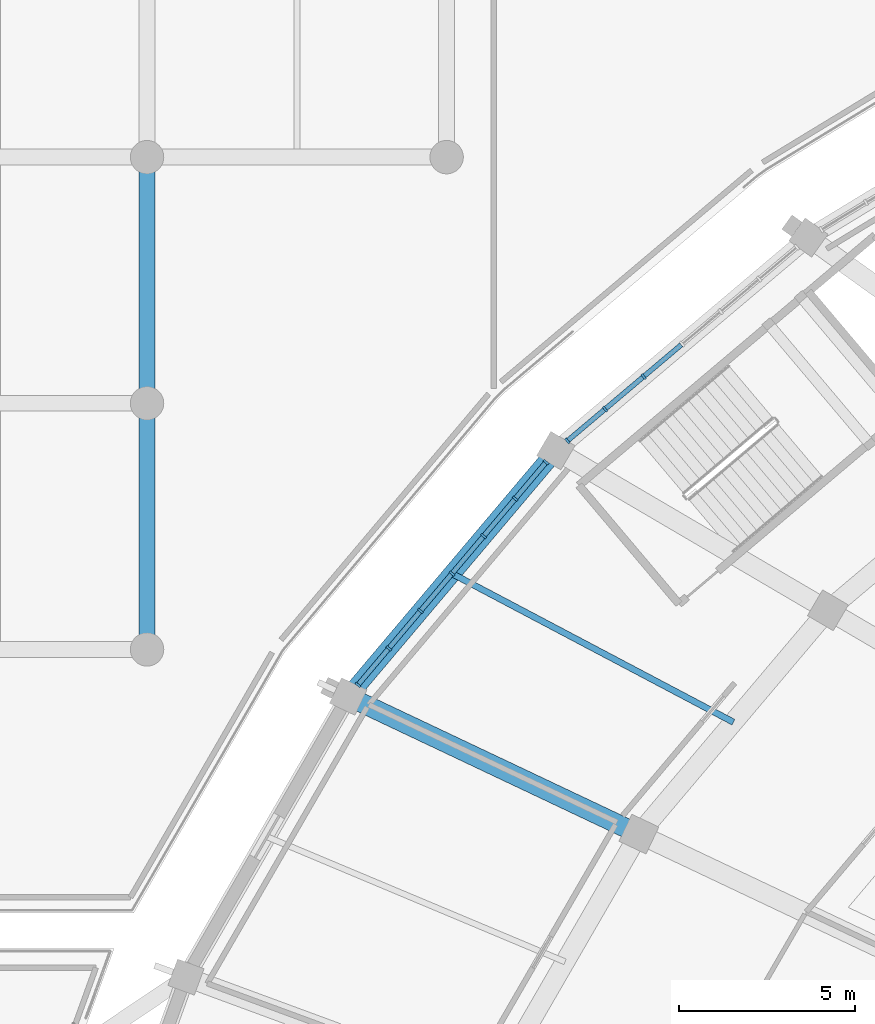
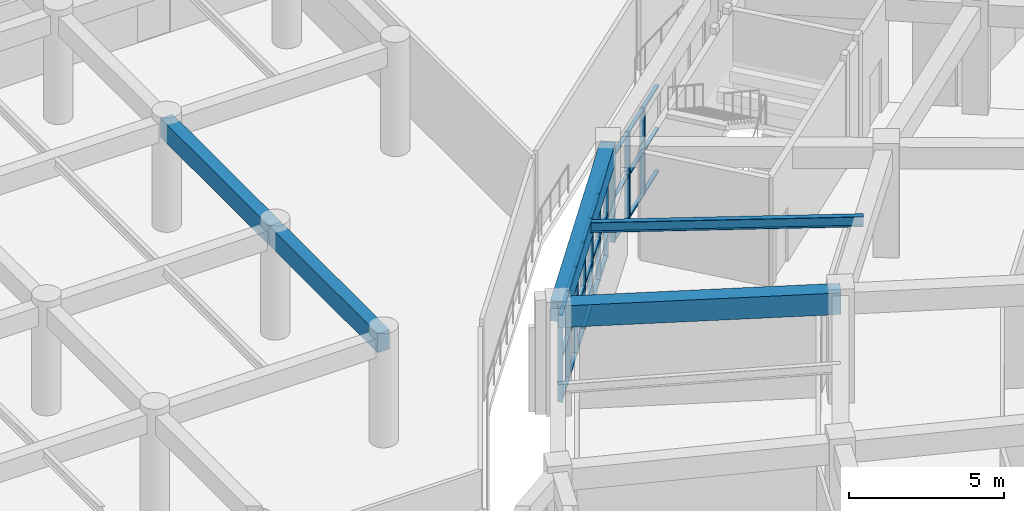
# One storey, part 55 of 145: 37 members, 5 beams, 2 elements without a shape of their own.
"""IFC4 building model written with IfcOpenShell, lengths in metres."""

import ifcopenshell
import ifcopenshell.guid

model = None  # the IFC model being written
_history = None  # IfcOwnerHistory: only IFC2X3 demands one
_inside = {}  # id of a spatial element -> (the spatial element, [elements in it])
_under = {}  # id of a project, library or spatial element -> (it, [spatial elements below it])
_declared = {}  # id of a project -> (the project, [libraries it declares])
_typed = {}  # id of a type object -> (the type object, [elements of that type])
_made_of = {}  # id of a material, layer set ... -> (it, [elements and type objects made of it])


def new_model(schema):
    """Start an empty IFC model of exactly this schema.

    Asked for "IFC4X3", IfcOpenShell would pick the latest addendum, in which some entities
    have other attributes; the version numbers below select the first issue.
    IFC2X3 requires an IfcOwnerHistory on every rooted entity: one is made here for all.
    """
    global model, _history
    if schema == "IFC4X3":
        model = ifcopenshell.file(schema_version=(4, 3, 0, 0))
    else:
        model = ifcopenshell.file(schema=schema)
    _inside.clear()
    _under.clear()
    _declared.clear()
    _typed.clear()
    _made_of.clear()
    _history = None
    if model.schema == "IFC2X3":
        org = make("IfcOrganization", Name="unknown")
        user = make(
            "IfcPersonAndOrganization",
            ThePerson=make("IfcPerson", FamilyName="unknown"),
            TheOrganization=org,
        )
        app = make(
            "IfcApplication",
            ApplicationDeveloper=org,
            Version="unknown",
            ApplicationFullName="unknown",
            ApplicationIdentifier="unknown",
        )
        _history = make(
            "IfcOwnerHistory",
            OwningUser=user,
            OwningApplication=app,
            ChangeAction="ADDED",
            CreationDate=0,
        )
    return model


def make(cls, **values):
    """One entity of the class cls with the attributes given. An attribute that is None is left unset."""
    return model.create_entity(
        cls, **{name: value for name, value in values.items() if value is not None}
    )


def rooted(cls, **values):
    """An entity with a GlobalId (a new one), such as an element, a storey or a relation."""
    return make(cls, GlobalId=ifcopenshell.guid.new(), OwnerHistory=_history, **values)


def si_unit(unit_type, name, prefix=None):
    """IfcSIUnit, for example si_unit("LENGTHUNIT", "METRE", prefix="MILLI")."""
    return make("IfcSIUnit", UnitType=unit_type, Prefix=prefix, Name=name)


def assignment(units):
    """IfcUnitAssignment: the units of a project."""
    return None if units is None else make("IfcUnitAssignment", Units=units)


def point(xyz):
    """IfcCartesianPoint."""
    return None if xyz is None else make("IfcCartesianPoint", Coordinates=xyz)


def direction(xyz):
    """IfcDirection."""
    return None if xyz is None else make("IfcDirection", DirectionRatios=xyz)


def frame(location, z_axis=None, x_axis=None):
    """IfcAxis2Placement3D, a coordinate frame: its origin and axes. An axis left out is left unset."""
    return make(
        "IfcAxis2Placement3D",
        Location=point(location),
        Axis=direction(z_axis),
        RefDirection=direction(x_axis),
    )


def frame_2d(location, x_axis=None):
    """IfcAxis2Placement2D, a coordinate frame in the plane: its origin and x axis."""
    return make(
        "IfcAxis2Placement2D", Location=point(location), RefDirection=direction(x_axis)
    )


def origin():
    """The frame at (0, 0, 0) with its axes left unset."""
    return frame((0.0, 0.0, 0.0))


def origin_2d():
    """The frame at (0, 0) in the plane with its x axis left unset."""
    return frame_2d((0.0, 0.0))


def place(relative_to, where):
    """IfcLocalPlacement: puts the frame where relative to a parent placement (None: the world)."""
    return make(
        "IfcLocalPlacement", PlacementRelTo=relative_to, RelativePlacement=where
    )


def context(
    kind, dimensions, precision=None, world=None, true_north=None, identifier=None
):
    """IfcGeometricRepresentationContext, for example the 3D "Model" context."""
    return make(
        "IfcGeometricRepresentationContext",
        ContextIdentifier=identifier,
        ContextType=kind,
        CoordinateSpaceDimension=dimensions,
        Precision=precision,
        WorldCoordinateSystem=world,
        TrueNorth=true_north,
    )


def subcontext(parent, identifier, kind, view, scale=None):
    """IfcGeometricRepresentationSubContext, for example "Body" below "Model"."""
    return make(
        "IfcGeometricRepresentationSubContext",
        ContextIdentifier=identifier,
        ContextType=kind,
        ParentContext=parent,
        TargetScale=scale,
        TargetView=view,
    )


def project(units=None, contexts=None):
    """IfcProject with its units and contexts."""
    return rooted(
        "IfcProject",
        Name="project",
        RepresentationContexts=contexts,
        UnitsInContext=assignment(units),
    )


def spatial(cls, under=None, at=None, **own):
    """A site, building, storey or space (cls), placed at a placement, below another one or the project."""
    s = rooted(cls, ObjectPlacement=at, **own)
    if under is not None:
        _under.setdefault(under.id(), (under, []))[1].append(s)
    return s


def profile(cls, at=None, kind="AREA", **sizes):
    """A parametric profile (cls). Its sizes go by their IFC names, for example OverallWidth=200.0."""
    return make(cls, ProfileType=kind, Position=at, **sizes)


def rectangle(**sizes):
    """IfcRectangleProfileDef."""
    return profile("IfcRectangleProfileDef", **sizes)


def i_section(**sizes):
    """IfcIShapeProfileDef."""
    return profile("IfcIShapeProfileDef", **sizes)


def extrude(swept, where, along, depth):
    """IfcExtrudedAreaSolid: the profile swept, set in the frame where, extruded along a direction by depth."""
    return make(
        "IfcExtrudedAreaSolid",
        SweptArea=swept,
        Position=where,
        ExtrudedDirection=direction(along),
        Depth=depth,
    )


def shape(context_of_items, identifier, shape_type, items):
    """IfcShapeRepresentation: the items that make up one representation, for example the "Body"."""
    return make(
        "IfcShapeRepresentation",
        ContextOfItems=context_of_items,
        RepresentationIdentifier=identifier,
        RepresentationType=shape_type,
        Items=items,
    )


def material(Name=None, Category=None):
    """IfcMaterial."""
    return make("IfcMaterial", Name=Name, Category=Category)


def layer(
    of_material, thickness, ventilated=None, Name=None, Category=None, Priority=None
):
    """IfcMaterialLayer: one layer of a wall or slab, of a material (None: an air gap)."""
    return make(
        "IfcMaterialLayer",
        Material=of_material,
        LayerThickness=thickness,
        IsVentilated=ventilated,
        Name=Name,
        Category=Category,
        Priority=Priority,
    )


def layer_set(layers, Name=None):
    """IfcMaterialLayerSet."""
    return make("IfcMaterialLayerSet", MaterialLayers=layers, LayerSetName=Name)


def material_profile(
    of_material, cross_section, Name=None, Category=None, Priority=None
):
    """IfcMaterialProfile: a cross section and its material."""
    return make(
        "IfcMaterialProfile",
        Name=Name,
        Material=of_material,
        Profile=cross_section,
        Priority=Priority,
        Category=Category,
    )


def profile_set(profiles, Name=None, composite=None):
    """IfcMaterialProfileSet."""
    return make(
        "IfcMaterialProfileSet",
        Name=Name,
        MaterialProfiles=profiles,
        CompositeProfile=composite,
    )


def made_of(thing, what):
    """Note that an element or type object is made of a material, layer set ...; save() writes the relation."""
    if what is not None:
        _made_of.setdefault(what.id(), (what, []))[1].append(thing)
    return thing


def type_object(cls, material=None, **own):
    """A type object (cls), such as IfcWallType, which elements share."""
    return made_of(rooted(cls, **own), material)


def element(
    cls,
    number,
    at=None,
    inside=None,
    cuts=None,
    type_object=None,
    material=None,
    context=None,
    identifier="Body",
    shape_type=None,
    held_by="IfcProductDefinitionShape",
    body=None,
    shapes=None,
    **own,
):
    """One element of the class cls, such as IfcWall. Its Tag is "e" and its number.

    at: its placement. inside: the storey or other place that contains it. cuts: it is an
    opening in that element (IfcRelVoidsElement). A single representation is given by context,
    identifier, shape_type and body (its items); several are given by shapes. held_by: the class
    of the entity that holds the representations. save() writes the other relations.
    """
    e = rooted(cls, Tag="e%d" % number, ObjectPlacement=at, **own)
    if body is not None:
        shapes = [shape(context, identifier, shape_type, body)]
    if shapes is not None:
        e.Representation = make(held_by, Representations=shapes)
    if inside is not None:
        _inside.setdefault(inside.id(), (inside, []))[1].append(e)
    if cuts is not None:
        rooted(
            "IfcRelVoidsElement", RelatingBuildingElement=cuts, RelatedOpeningElement=e
        )
    if type_object is not None:
        _typed.setdefault(type_object.id(), (type_object, []))[1].append(e)
    return made_of(e, material)


def aggregate(whole, parts):
    """IfcRelAggregates: a whole, such as a stair, and the parts it consists of."""
    return rooted("IfcRelAggregates", RelatingObject=whole, RelatedObjects=parts)


def save(model, path):
    """Write the relations noted so far, then the file.

    IfcRelAggregates (storeys below a building ...), IfcRelContainedInSpatialStructure (elements
    in a storey), IfcRelDefinesByType, IfcRelAssociatesMaterial and IfcRelDeclares: one each for
    every whole, place, type object, material and project.
    """
    for whole, parts in _under.values():
        aggregate(whole, parts)
    for where, things in _inside.values():
        rooted(
            "IfcRelContainedInSpatialStructure",
            RelatedElements=things,
            RelatingStructure=where,
        )
    for kind, things in _typed.values():
        rooted("IfcRelDefinesByType", RelatedObjects=things, RelatingType=kind)
    for what, things in _made_of.values():
        rooted("IfcRelAssociatesMaterial", RelatedObjects=things, RelatingMaterial=what)
    for by, libraries in _declared.values():
        rooted("IfcRelDeclares", RelatingContext=by, RelatedDefinitions=libraries)
    model.write(path)


model = new_model("IFC4")

# Units and contexts
model_context = context("Model", 3, precision=1e-05, world=origin(), true_north=direction((0.0, 1.0)))
body_context = subcontext(model_context, "Body", "Model", "MODEL_VIEW")
ifc_project = project(units=[si_unit("LENGTHUNIT", "METRE"), si_unit("AREAUNIT", "SQUARE_METRE"), si_unit("VOLUMEUNIT", "CUBIC_METRE"), si_unit("PLANEANGLEUNIT", "RADIAN"), si_unit("MASSUNIT", "GRAM", prefix="KILO")], contexts=[model_context])

# Site, building, storey
site_placement = place(None, origin())
site = spatial("IfcSite", under=ifc_project, at=site_placement, CompositionType="ELEMENT")
building_placement = place(site_placement, origin())
building = spatial("IfcBuilding", under=site, at=building_placement, Name="Mphavela Belvedere Stadium", CompositionType="ELEMENT")
storey_placement = place(building_placement, frame((0.0, 0.0, 10.199951171875)))
storey = spatial("IfcBuildingStorey", under=building, at=storey_placement, Name="L02", CompositionType="ELEMENT", Elevation=10.199951171875)

# Beams
ifc_material_1 = material(Name="Steel S355", Category="steel")
ifc_material_profile_1 = material_profile(ifc_material_1, i_section(OverallWidth=0.179931640625, OverallDepth=0.39990234375, WebThickness=0.008544921875, FlangeThickness=0.013427734375, at=origin_2d()), Name="IPE 400")
ifc_profile_set_1 = profile_set([ifc_material_profile_1], Name="Steel S355")
beam_type_1 = type_object("IfcBeamType", Name="BM-JOIST-IPE400", PredefinedType="JOIST", material=ifc_profile_set_1)
beam_1_placement = place(storey_placement, frame((33.7119140625, 129.93115234375, 4.050048828125), z_axis=(-0.884250771824, 0.467012390123, 0.0), x_axis=(-0.467012390123, -0.884250771824, 0.0)))
element("IfcBeam", 1, at=beam_1_placement, inside=storey, type_object=beam_type_1, Name="Concourse floor joist L02-20", PredefinedType="JOIST", context=body_context, shape_type="SweptSolid", body=[
    extrude(i_section(OverallWidth=0.179931640625, OverallDepth=0.39990234375, WebThickness=0.008544921875, FlangeThickness=0.013427734375, at=origin_2d()), origin(), (0.0, 0.0, 1.0), 9.0498046875),
])
ifc_material_2 = material(Name="Concrete C40/50", Category="concrete")
ifc_material_profile_2 = material_profile(ifc_material_2, rectangle(XDim=0.449951171875, YDim=0.75, at=origin_2d()), Name="RC 450x750")
ifc_profile_set_2 = profile_set([ifc_material_profile_2], Name="Concrete C40/50")
beam_type_2 = type_object("IfcBeamType", Name="BM-RC450x750", PredefinedType="BEAM", material=ifc_profile_set_2)
for number, where, z_axis, x_axis, name in (
    (2, (17.037109375, 132.0, 3.864990234375), (0.0, 1.0, 0.0), (-1.0, 0.0, 0.0), "North Mast and Ceremonial End Forecourt entablature beam Y L02 3-2"),
    (3, (17.037109375, 139.0, 3.864990234375), (0.0, 1.0, 0.0), (-1.0, 0.0, 0.0), "North Mast and Ceremonial End Forecourt entablature beam Y L02 3-3"),
):
    element("IfcBeam", number, at=place(storey_placement, frame(where, z_axis=z_axis, x_axis=x_axis)), inside=storey, type_object=beam_type_2, Name=name, PredefinedType="BEAM", context=body_context, shape_type="SweptSolid", body=[
        extrude(rectangle(XDim=0.449951171875, YDim=0.75, at=origin_2d()), origin(), (0.0, 0.0, 1.0), 7.0),
    ])
ifc_material_3 = material(Name="Concrete C40/50", Category="concrete")
ifc_material_profile_3 = material_profile(ifc_material_3, rectangle(XDim=0.550048828125, YDim=0.85009765625, at=origin_2d()), Name="RC 550x850")
ifc_profile_set_3 = profile_set([ifc_material_profile_3], Name="Concrete C40/50")
beam_type_3 = type_object("IfcBeamType", Name="BM-RC550x850", PredefinedType="BEAM", material=ifc_profile_set_3)
beam_2_placement = place(storey_placement, frame((31.0244140625, 126.748291015625, 3.824951171875), z_axis=(-0.903845427073, 0.427859140325, 0.0), x_axis=(-0.427859140325, -0.903845427073, 0.0)))
element("IfcBeam", 4, at=beam_2_placement, inside=storey, type_object=beam_type_3, Name="Radial concourse girder L02 R3R4-21", PredefinedType="BEAM", context=body_context, shape_type="SweptSolid", body=[
    extrude(rectangle(XDim=0.550048828125, YDim=0.85009765625, at=origin_2d()), origin(), (0.0, 0.0, 1.0), 9.146240234375),
])
ifc_material_4 = material(Name="Concrete C40/50", Category="concrete")
ifc_material_profile_4 = material_profile(ifc_material_4, rectangle(XDim=0.5, YDim=0.800048828125, at=origin_2d()), Name="RC 500x800")
ifc_profile_set_4 = profile_set([ifc_material_profile_4], Name="Concrete C40/50")
beam_type_4 = type_object("IfcBeamType", Name="BM-SPANDREL-800", PredefinedType="SPANDREL", material=ifc_profile_set_4)
beam_3_placement = place(storey_placement, frame((28.66162109375, 137.653564453125, 3.85009765625), z_axis=(-0.645164552218, -0.764043650952, 0.0), x_axis=(0.764043650952, -0.645164552218, 0.0)))
element("IfcBeam", 5, at=beam_3_placement, inside=storey, type_object=beam_type_4, Name="Circumferential girder L02 R4-20", PredefinedType="SPANDREL", context=body_context, shape_type="SweptSolid", body=[
    extrude(rectangle(XDim=0.5, YDim=0.800048828125, at=origin_2d()), origin(), (0.0, 0.0, 1.0), 9.151123046875),
])

# Curtain wall, members
ifc_material_5 = material(Name="Anodised bronze unitised curtain wall framing")
ifc_layer_1 = layer(ifc_material_5, 0.205078125)
ifc_layer_set_1 = layer_set([ifc_layer_1], Name="Anodised bronze unitised curtain wall framing")
curtain_wall_type_1 = type_object("IfcCurtainWallType", Name="CW-UNIT-06", PredefinedType="USERDEFINED", material=ifc_layer_set_1)
curtain_wall_1_placement = place(storey_placement, origin())
curtain_wall_1 = element("IfcCurtainWall", 6, at=curtain_wall_1_placement, inside=storey, type_object=curtain_wall_type_1, Name="Belvedere colonnade curtain wall L02-19", ObjectType="UNITISED CURTAIN WALL", PredefinedType="USERDEFINED")
ifc_material_6 = material(Name="Anodised bronze extruded aluminium", Category="aluminium")
ifc_material_profile_5 = material_profile(ifc_material_6, rectangle(XDim=0.179931640625, YDim=0.06494140625, at=origin_2d()), Name="CW-MUL 180x65")
ifc_profile_set_5 = profile_set([ifc_material_profile_5], Name="Anodised bronze extruded aluminium")
member_type_1 = type_object("IfcMemberType", Name="CWM-180x65", PredefinedType="MULLION", material=ifc_profile_set_5)
member_1_placement = place(storey_placement, frame((31.1572265625, 139.759521484375, 0.0), z_axis=(0.0, 0.0, 1.0), x_axis=(0.644907225915, -0.764260865126, 0.0)))
member_1 = element("IfcMember", 7, at=member_1_placement, type_object=member_type_1, Name="CW-06 mullion 5", PredefinedType="MULLION", context=body_context, shape_type="SweptSolid", body=[
    extrude(rectangle(XDim=0.179931640625, YDim=0.06494140625, at=origin_2d()), origin(), (0.0, 0.0, 1.0), 3.420166015625),
])
member_2_placement = place(storey_placement, frame((30.0615234375, 138.834716796875, 0.0), z_axis=(0.0, 0.0, 1.0), x_axis=(0.644907225915, -0.764260865126, 0.0)))
member_2 = element("IfcMember", 8, at=member_2_placement, type_object=member_type_1, Name="CW-06 mullion 6", PredefinedType="MULLION", context=body_context, shape_type="SweptSolid", body=[
    extrude(rectangle(XDim=0.179931640625, YDim=0.06494140625, at=origin_2d()), origin(), (0.0, 0.0, 1.0), 3.420166015625),
])
member_3_placement = place(storey_placement, frame((28.99072265625, 137.93115234375, 0.0), z_axis=(0.0, 0.0, 1.0), x_axis=(0.644907225915, -0.764260865126, 0.0)))
member_3 = element("IfcMember", 9, at=member_3_placement, type_object=member_type_1, Name="CW-06 mullion 7", PredefinedType="MULLION", context=body_context, shape_type="SweptSolid", body=[
    extrude(rectangle(XDim=0.179931640625, YDim=0.06494140625, at=origin_2d()), origin(), (0.0, 0.0, 1.0), 3.420166015625),
])

ifc_material_7 = material(Name="Anodised bronze unitised curtain wall framing")
ifc_layer_2 = layer(ifc_material_7, 0.179931640625)
ifc_layer_set_2 = layer_set([ifc_layer_2], Name="Anodised bronze unitised curtain wall framing")
curtain_wall_type_2 = type_object("IfcCurtainWallType", Name="CW-UNIT-01", PredefinedType="USERDEFINED", material=ifc_layer_set_2)
curtain_wall_2_placement = place(storey_placement, origin())
curtain_wall_2 = element("IfcCurtainWall", 10, at=curtain_wall_2_placement, inside=storey, type_object=curtain_wall_type_2, Name="Belvedere colonnade curtain wall L02-20", ObjectType="UNITISED CURTAIN WALL", PredefinedType="USERDEFINED")
member_4_placement = place(storey_placement, frame((28.384033203125, 137.324462890625, 0.0), z_axis=(0.0, 0.0, 1.0), x_axis=(0.76403961746, -0.645169328899, 0.0)))
member_4 = element("IfcMember", 11, at=member_4_placement, type_object=member_type_1, Name="CW-01 mullion 1", PredefinedType="MULLION", context=body_context, shape_type="SweptSolid", body=[
    extrude(rectangle(XDim=0.179931640625, YDim=0.06494140625, at=origin_2d()), origin(), (0.0, 0.0, 1.0), 3.420166015625),
])
member_5_placement = place(storey_placement, frame((27.50634765625, 136.285400390625, 0.0), z_axis=(0.0, 0.0, 1.0), x_axis=(0.76403961746, -0.645169328899, 0.0)))
member_5 = element("IfcMember", 12, at=member_5_placement, type_object=member_type_1, Name="CW-01 mullion 2", PredefinedType="MULLION", context=body_context, shape_type="SweptSolid", body=[
    extrude(rectangle(XDim=0.179931640625, YDim=0.06494140625, at=origin_2d()), origin(), (0.0, 0.0, 1.0), 3.420166015625),
])
member_6_placement = place(storey_placement, frame((26.608154296875, 135.221435546875, 0.0), z_axis=(0.0, 0.0, 1.0), x_axis=(0.76403961746, -0.645169328899, 0.0)))
member_6 = element("IfcMember", 13, at=member_6_placement, type_object=member_type_1, Name="CW-01 mullion 3", PredefinedType="MULLION", context=body_context, shape_type="SweptSolid", body=[
    extrude(rectangle(XDim=0.179931640625, YDim=0.06494140625, at=origin_2d()), origin(), (0.0, 0.0, 1.0), 3.420166015625),
])
member_7_placement = place(storey_placement, frame((25.709716796875, 134.157470703125, 0.0), z_axis=(0.0, 0.0, 1.0), x_axis=(0.76403961746, -0.645169328899, 0.0)))
member_7 = element("IfcMember", 14, at=member_7_placement, type_object=member_type_1, Name="CW-01 mullion 4", PredefinedType="MULLION", context=body_context, shape_type="SweptSolid", body=[
    extrude(rectangle(XDim=0.179931640625, YDim=0.06494140625, at=origin_2d()), origin(), (0.0, 0.0, 1.0), 3.420166015625),
])
member_8_placement = place(storey_placement, frame((24.811279296875, 133.093505859375, 0.0), z_axis=(0.0, 0.0, 1.0), x_axis=(0.76403961746, -0.645169328899, 0.0)))
member_8 = element("IfcMember", 15, at=member_8_placement, type_object=member_type_1, Name="CW-01 mullion 5", PredefinedType="MULLION", context=body_context, shape_type="SweptSolid", body=[
    extrude(rectangle(XDim=0.179931640625, YDim=0.06494140625, at=origin_2d()), origin(), (0.0, 0.0, 1.0), 3.420166015625),
])
member_9_placement = place(storey_placement, frame((23.912841796875, 132.029541015625, 0.0), z_axis=(0.0, 0.0, 1.0), x_axis=(0.76403961746, -0.645169328899, 0.0)))
member_9 = element("IfcMember", 16, at=member_9_placement, type_object=member_type_1, Name="CW-01 mullion 6", PredefinedType="MULLION", context=body_context, shape_type="SweptSolid", body=[
    extrude(rectangle(XDim=0.179931640625, YDim=0.06494140625, at=origin_2d()), origin(), (0.0, 0.0, 1.0), 3.420166015625),
])
member_10_placement = place(storey_placement, frame((23.03515625, 130.990478515625, 0.0), z_axis=(0.0, 0.0, 1.0), x_axis=(0.76403961746, -0.645169328899, 0.0)))
member_10 = element("IfcMember", 17, at=member_10_placement, type_object=member_type_1, Name="CW-01 mullion 7", PredefinedType="MULLION", context=body_context, shape_type="SweptSolid", body=[
    extrude(rectangle(XDim=0.179931640625, YDim=0.06494140625, at=origin_2d()), origin(), (0.0, 0.0, 1.0), 3.420166015625),
])

# Member
ifc_material_8 = material(Name="Anodised bronze extruded aluminium", Category="aluminium")
ifc_material_profile_6 = material_profile(ifc_material_8, rectangle(XDim=0.139892578125, YDim=0.06005859375, at=origin_2d()), Name="CW-TRN 140x60")
ifc_profile_set_6 = profile_set([ifc_material_profile_6], Name="Anodised bronze extruded aluminium")
member_type_2 = type_object("IfcMemberType", Name="CWT-140x60", PredefinedType="USERDEFINED", material=ifc_profile_set_6)
member_11_placement = place(storey_placement, frame((32.228271484375, 140.6630859375, 0.030029296875), z_axis=(-0.764244781983, -0.644926285099, 0.0), x_axis=(0.644926285099, -0.764244781983, 0.0)))
member_11 = element("IfcMember", 18, at=member_11_placement, type_object=member_type_2, Name="CW-06 transom 4.1", ObjectType="TRANSOM", PredefinedType="USERDEFINED", context=body_context, shape_type="SweptSolid", body=[
    extrude(rectangle(XDim=0.139892578125, YDim=0.06005859375, at=origin_2d()), origin(), (0.0, 0.0, 1.0), 1.368896484375),
])

member_12_placement = place(storey_placement, frame((32.228271484375, 140.6630859375, 1.7099609375), z_axis=(-0.764244781983, -0.644926285099, 0.0), x_axis=(0.644926285099, -0.764244781983, 0.0)))
member_12 = element("IfcMember", 19, at=member_12_placement, type_object=member_type_2, Name="CW-06 transom 4.2", ObjectType="TRANSOM", PredefinedType="USERDEFINED", context=body_context, shape_type="SweptSolid", body=[
    extrude(rectangle(XDim=0.139892578125, YDim=0.06005859375, at=origin_2d()), origin(), (0.0, 0.0, 1.0), 1.368896484375),
])

member_13_placement = place(storey_placement, frame((32.228271484375, 140.6630859375, 3.39013671875), z_axis=(-0.764244781983, -0.644926285099, 0.0), x_axis=(0.644926285099, -0.764244781983, 0.0)))
member_13 = element("IfcMember", 20, at=member_13_placement, type_object=member_type_2, Name="CW-06 transom 4.3", ObjectType="TRANSOM", PredefinedType="USERDEFINED", context=body_context, shape_type="SweptSolid", body=[
    extrude(rectangle(XDim=0.139892578125, YDim=0.06005859375, at=origin_2d()), origin(), (0.0, 0.0, 1.0), 1.368896484375),
])

member_14_placement = place(storey_placement, frame((31.132568359375, 139.738525390625, 0.030029296875), z_axis=(-0.764244781983, -0.644926285099, 0.0), x_axis=(0.644926285099, -0.764244781983, 0.0)))
member_14 = element("IfcMember", 21, at=member_14_placement, type_object=member_type_2, Name="CW-06 transom 5.1", ObjectType="TRANSOM", PredefinedType="USERDEFINED", context=body_context, shape_type="SweptSolid", body=[
    extrude(rectangle(XDim=0.139892578125, YDim=0.06005859375, at=origin_2d()), origin(), (0.0, 0.0, 1.0), 1.368896484375),
])

member_15_placement = place(storey_placement, frame((31.132568359375, 139.738525390625, 1.7099609375), z_axis=(-0.764244781983, -0.644926285099, 0.0), x_axis=(0.644926285099, -0.764244781983, 0.0)))
member_15 = element("IfcMember", 22, at=member_15_placement, type_object=member_type_2, Name="CW-06 transom 5.2", ObjectType="TRANSOM", PredefinedType="USERDEFINED", context=body_context, shape_type="SweptSolid", body=[
    extrude(rectangle(XDim=0.139892578125, YDim=0.06005859375, at=origin_2d()), origin(), (0.0, 0.0, 1.0), 1.368896484375),
])

member_16_placement = place(storey_placement, frame((31.132568359375, 139.738525390625, 3.39013671875), z_axis=(-0.764244781983, -0.644926285099, 0.0), x_axis=(0.644926285099, -0.764244781983, 0.0)))
member_16 = element("IfcMember", 23, at=member_16_placement, type_object=member_type_2, Name="CW-06 transom 5.3", ObjectType="TRANSOM", PredefinedType="USERDEFINED", context=body_context, shape_type="SweptSolid", body=[
    extrude(rectangle(XDim=0.139892578125, YDim=0.06005859375, at=origin_2d()), origin(), (0.0, 0.0, 1.0), 1.368896484375),
])

member_17_placement = place(storey_placement, frame((30.036865234375, 138.813720703125, 0.030029296875), z_axis=(-0.764328068464, -0.644827576766, 0.0), x_axis=(0.644827576766, -0.764328068464, 0.0)))
member_17 = element("IfcMember", 24, at=member_17_placement, type_object=member_type_2, Name="CW-06 transom 6.1", ObjectType="TRANSOM", PredefinedType="USERDEFINED", context=body_context, shape_type="SweptSolid", body=[
    extrude(rectangle(XDim=0.139892578125, YDim=0.06005859375, at=origin_2d()), origin(), (0.0, 0.0, 1.0), 1.336181640625),
])

member_18_placement = place(storey_placement, frame((30.036865234375, 138.813720703125, 1.7099609375), z_axis=(-0.764328068464, -0.644827576766, 0.0), x_axis=(0.644827576766, -0.764328068464, 0.0)))
member_18 = element("IfcMember", 25, at=member_18_placement, type_object=member_type_2, Name="CW-06 transom 6.2", ObjectType="TRANSOM", PredefinedType="USERDEFINED", context=body_context, shape_type="SweptSolid", body=[
    extrude(rectangle(XDim=0.139892578125, YDim=0.06005859375, at=origin_2d()), origin(), (0.0, 0.0, 1.0), 1.336181640625),
])

member_19_placement = place(storey_placement, frame((30.036865234375, 138.813720703125, 3.39013671875), z_axis=(-0.764328068464, -0.644827576766, 0.0), x_axis=(0.644827576766, -0.764328068464, 0.0)))
member_19 = element("IfcMember", 26, at=member_19_placement, type_object=member_type_2, Name="CW-06 transom 6.3", ObjectType="TRANSOM", PredefinedType="USERDEFINED", context=body_context, shape_type="SweptSolid", body=[
    extrude(rectangle(XDim=0.139892578125, YDim=0.06005859375, at=origin_2d()), origin(), (0.0, 0.0, 1.0), 1.336181640625),
])

aggregate(curtain_wall_1, [member_1, member_2, member_3, member_11, member_12, member_13, member_14, member_15, member_16, member_17, member_18, member_19])

member_20_placement = place(storey_placement, frame((28.363037109375, 137.2998046875, 0.030029296875), z_axis=(-0.645232165916, -0.763986552281, 0.0), x_axis=(0.763986552281, -0.645232165916, 0.0)))
member_20 = element("IfcMember", 27, at=member_20_placement, type_object=member_type_2, Name="CW-01 transom 1.1", ObjectType="TRANSOM", PredefinedType="USERDEFINED", context=body_context, shape_type="SweptSolid", body=[
    extrude(rectangle(XDim=0.139892578125, YDim=0.06005859375, at=origin_2d()), origin(), (0.0, 0.0, 1.0), 1.295166015625),
])

member_21_placement = place(storey_placement, frame((28.363037109375, 137.2998046875, 1.7099609375), z_axis=(-0.645232165916, -0.763986552281, 0.0), x_axis=(0.763986552281, -0.645232165916, 0.0)))
member_21 = element("IfcMember", 28, at=member_21_placement, type_object=member_type_2, Name="CW-01 transom 1.2", ObjectType="TRANSOM", PredefinedType="USERDEFINED", context=body_context, shape_type="SweptSolid", body=[
    extrude(rectangle(XDim=0.139892578125, YDim=0.06005859375, at=origin_2d()), origin(), (0.0, 0.0, 1.0), 1.295166015625),
])

member_22_placement = place(storey_placement, frame((28.363037109375, 137.2998046875, 3.39013671875), z_axis=(-0.645232165916, -0.763986552281, 0.0), x_axis=(0.763986552281, -0.645232165916, 0.0)))
member_22 = element("IfcMember", 29, at=member_22_placement, type_object=member_type_2, Name="CW-01 transom 1.3", ObjectType="TRANSOM", PredefinedType="USERDEFINED", context=body_context, shape_type="SweptSolid", body=[
    extrude(rectangle(XDim=0.139892578125, YDim=0.06005859375, at=origin_2d()), origin(), (0.0, 0.0, 1.0), 1.295166015625),
])

member_23_placement = place(storey_placement, frame((27.485595703125, 136.260498046875, 0.030029296875), z_axis=(-0.645307243975, -0.763923138066, 0.0), x_axis=(0.763923138066, -0.645307243975, 0.0)))
member_23 = element("IfcMember", 30, at=member_23_placement, type_object=member_type_2, Name="CW-01 transom 2.1", ObjectType="TRANSOM", PredefinedType="USERDEFINED", context=body_context, shape_type="SweptSolid", body=[
    extrude(rectangle(XDim=0.139892578125, YDim=0.06005859375, at=origin_2d()), origin(), (0.0, 0.0, 1.0), 1.32763671875),
])

member_24_placement = place(storey_placement, frame((27.485595703125, 136.260498046875, 1.7099609375), z_axis=(-0.645307243975, -0.763923138066, 0.0), x_axis=(0.763923138066, -0.645307243975, 0.0)))
member_24 = element("IfcMember", 31, at=member_24_placement, type_object=member_type_2, Name="CW-01 transom 2.2", ObjectType="TRANSOM", PredefinedType="USERDEFINED", context=body_context, shape_type="SweptSolid", body=[
    extrude(rectangle(XDim=0.139892578125, YDim=0.06005859375, at=origin_2d()), origin(), (0.0, 0.0, 1.0), 1.32763671875),
])

member_25_placement = place(storey_placement, frame((27.485595703125, 136.260498046875, 3.39013671875), z_axis=(-0.645307243975, -0.763923138066, 0.0), x_axis=(0.763923138066, -0.645307243975, 0.0)))
member_25 = element("IfcMember", 32, at=member_25_placement, type_object=member_type_2, Name="CW-01 transom 2.3", ObjectType="TRANSOM", PredefinedType="USERDEFINED", context=body_context, shape_type="SweptSolid", body=[
    extrude(rectangle(XDim=0.139892578125, YDim=0.06005859375, at=origin_2d()), origin(), (0.0, 0.0, 1.0), 1.32763671875),
])

member_26_placement = place(storey_placement, frame((26.587158203125, 135.196533203125, 0.030029296875), z_axis=(-0.645307243975, -0.763923138066, 0.0), x_axis=(0.763923138066, -0.645307243975, 0.0)))
member_26 = element("IfcMember", 33, at=member_26_placement, type_object=member_type_2, Name="CW-01 transom 3.1", ObjectType="TRANSOM", PredefinedType="USERDEFINED", context=body_context, shape_type="SweptSolid", body=[
    extrude(rectangle(XDim=0.139892578125, YDim=0.06005859375, at=origin_2d()), origin(), (0.0, 0.0, 1.0), 1.32763671875),
])

member_27_placement = place(storey_placement, frame((26.587158203125, 135.196533203125, 1.7099609375), z_axis=(-0.645307243975, -0.763923138066, 0.0), x_axis=(0.763923138066, -0.645307243975, 0.0)))
member_27 = element("IfcMember", 34, at=member_27_placement, type_object=member_type_2, Name="CW-01 transom 3.2", ObjectType="TRANSOM", PredefinedType="USERDEFINED", context=body_context, shape_type="SweptSolid", body=[
    extrude(rectangle(XDim=0.139892578125, YDim=0.06005859375, at=origin_2d()), origin(), (0.0, 0.0, 1.0), 1.32763671875),
])

member_28_placement = place(storey_placement, frame((26.587158203125, 135.196533203125, 3.39013671875), z_axis=(-0.645307243975, -0.763923138066, 0.0), x_axis=(0.763923138066, -0.645307243975, 0.0)))
member_28 = element("IfcMember", 35, at=member_28_placement, type_object=member_type_2, Name="CW-01 transom 3.3", ObjectType="TRANSOM", PredefinedType="USERDEFINED", context=body_context, shape_type="SweptSolid", body=[
    extrude(rectangle(XDim=0.139892578125, YDim=0.06005859375, at=origin_2d()), origin(), (0.0, 0.0, 1.0), 1.32763671875),
])

member_29_placement = place(storey_placement, frame((25.688720703125, 134.132568359375, 0.030029296875), z_axis=(-0.645307243975, -0.763923138066, 0.0), x_axis=(0.763923138066, -0.645307243975, 0.0)))
member_29 = element("IfcMember", 36, at=member_29_placement, type_object=member_type_2, Name="CW-01 transom 4.1", ObjectType="TRANSOM", PredefinedType="USERDEFINED", context=body_context, shape_type="SweptSolid", body=[
    extrude(rectangle(XDim=0.139892578125, YDim=0.06005859375, at=origin_2d()), origin(), (0.0, 0.0, 1.0), 1.32763671875),
])

member_30_placement = place(storey_placement, frame((25.688720703125, 134.132568359375, 1.7099609375), z_axis=(-0.645307243975, -0.763923138066, 0.0), x_axis=(0.763923138066, -0.645307243975, 0.0)))
member_30 = element("IfcMember", 37, at=member_30_placement, type_object=member_type_2, Name="CW-01 transom 4.2", ObjectType="TRANSOM", PredefinedType="USERDEFINED", context=body_context, shape_type="SweptSolid", body=[
    extrude(rectangle(XDim=0.139892578125, YDim=0.06005859375, at=origin_2d()), origin(), (0.0, 0.0, 1.0), 1.32763671875),
])

member_31_placement = place(storey_placement, frame((25.688720703125, 134.132568359375, 3.39013671875), z_axis=(-0.645307243975, -0.763923138066, 0.0), x_axis=(0.763923138066, -0.645307243975, 0.0)))
member_31 = element("IfcMember", 38, at=member_31_placement, type_object=member_type_2, Name="CW-01 transom 4.3", ObjectType="TRANSOM", PredefinedType="USERDEFINED", context=body_context, shape_type="SweptSolid", body=[
    extrude(rectangle(XDim=0.139892578125, YDim=0.06005859375, at=origin_2d()), origin(), (0.0, 0.0, 1.0), 1.32763671875),
])

member_32_placement = place(storey_placement, frame((24.790283203125, 133.068603515625, 0.030029296875), z_axis=(-0.645307243975, -0.763923138066, 0.0), x_axis=(0.763923138066, -0.645307243975, 0.0)))
member_32 = element("IfcMember", 39, at=member_32_placement, type_object=member_type_2, Name="CW-01 transom 5.1", ObjectType="TRANSOM", PredefinedType="USERDEFINED", context=body_context, shape_type="SweptSolid", body=[
    extrude(rectangle(XDim=0.139892578125, YDim=0.06005859375, at=origin_2d()), origin(), (0.0, 0.0, 1.0), 1.32763671875),
])

member_33_placement = place(storey_placement, frame((24.790283203125, 133.068603515625, 1.7099609375), z_axis=(-0.645307243975, -0.763923138066, 0.0), x_axis=(0.763923138066, -0.645307243975, 0.0)))
member_33 = element("IfcMember", 40, at=member_33_placement, type_object=member_type_2, Name="CW-01 transom 5.2", ObjectType="TRANSOM", PredefinedType="USERDEFINED", context=body_context, shape_type="SweptSolid", body=[
    extrude(rectangle(XDim=0.139892578125, YDim=0.06005859375, at=origin_2d()), origin(), (0.0, 0.0, 1.0), 1.32763671875),
])

member_34_placement = place(storey_placement, frame((24.790283203125, 133.068603515625, 3.39013671875), z_axis=(-0.645307243975, -0.763923138066, 0.0), x_axis=(0.763923138066, -0.645307243975, 0.0)))
member_34 = element("IfcMember", 41, at=member_34_placement, type_object=member_type_2, Name="CW-01 transom 5.3", ObjectType="TRANSOM", PredefinedType="USERDEFINED", context=body_context, shape_type="SweptSolid", body=[
    extrude(rectangle(XDim=0.139892578125, YDim=0.06005859375, at=origin_2d()), origin(), (0.0, 0.0, 1.0), 1.32763671875),
])

member_35_placement = place(storey_placement, frame((23.891845703125, 132.004638671875, 0.030029296875), z_axis=(-0.645325094875, -0.763908058555, 0.0), x_axis=(0.763908058555, -0.645325094875, 0.0)))
member_35 = element("IfcMember", 42, at=member_35_placement, type_object=member_type_2, Name="CW-01 transom 6.1", ObjectType="TRANSOM", PredefinedType="USERDEFINED", context=body_context, shape_type="SweptSolid", body=[
    extrude(rectangle(XDim=0.139892578125, YDim=0.06005859375, at=origin_2d()), origin(), (0.0, 0.0, 1.0), 1.294921875),
])

member_36_placement = place(storey_placement, frame((23.891845703125, 132.004638671875, 1.7099609375), z_axis=(-0.645325094875, -0.763908058555, 0.0), x_axis=(0.763908058555, -0.645325094875, 0.0)))
member_36 = element("IfcMember", 43, at=member_36_placement, type_object=member_type_2, Name="CW-01 transom 6.2", ObjectType="TRANSOM", PredefinedType="USERDEFINED", context=body_context, shape_type="SweptSolid", body=[
    extrude(rectangle(XDim=0.139892578125, YDim=0.06005859375, at=origin_2d()), origin(), (0.0, 0.0, 1.0), 1.294921875),
])

member_37_placement = place(storey_placement, frame((23.891845703125, 132.004638671875, 3.39013671875), z_axis=(-0.645325094875, -0.763908058555, 0.0), x_axis=(0.763908058555, -0.645325094875, 0.0)))
member_37 = element("IfcMember", 44, at=member_37_placement, type_object=member_type_2, Name="CW-01 transom 6.3", ObjectType="TRANSOM", PredefinedType="USERDEFINED", context=body_context, shape_type="SweptSolid", body=[
    extrude(rectangle(XDim=0.139892578125, YDim=0.06005859375, at=origin_2d()), origin(), (0.0, 0.0, 1.0), 1.294921875),
])

aggregate(curtain_wall_2, [member_4, member_5, member_6, member_7, member_8, member_9, member_10, member_20, member_21, member_22, member_23, member_24, member_25, member_26, member_27, member_28, member_29, member_30, member_31, member_32, member_33, member_34, member_35, member_36, member_37])

save(model, "model.ifc")
